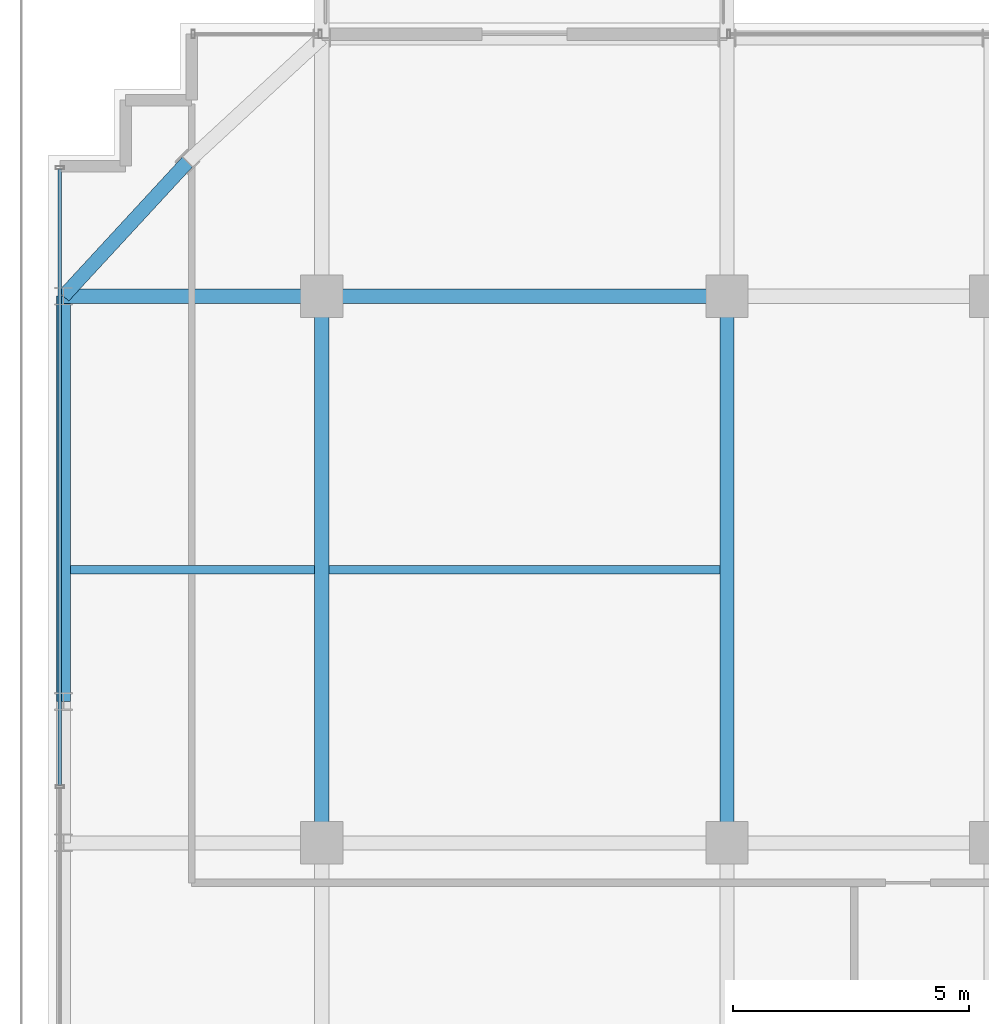
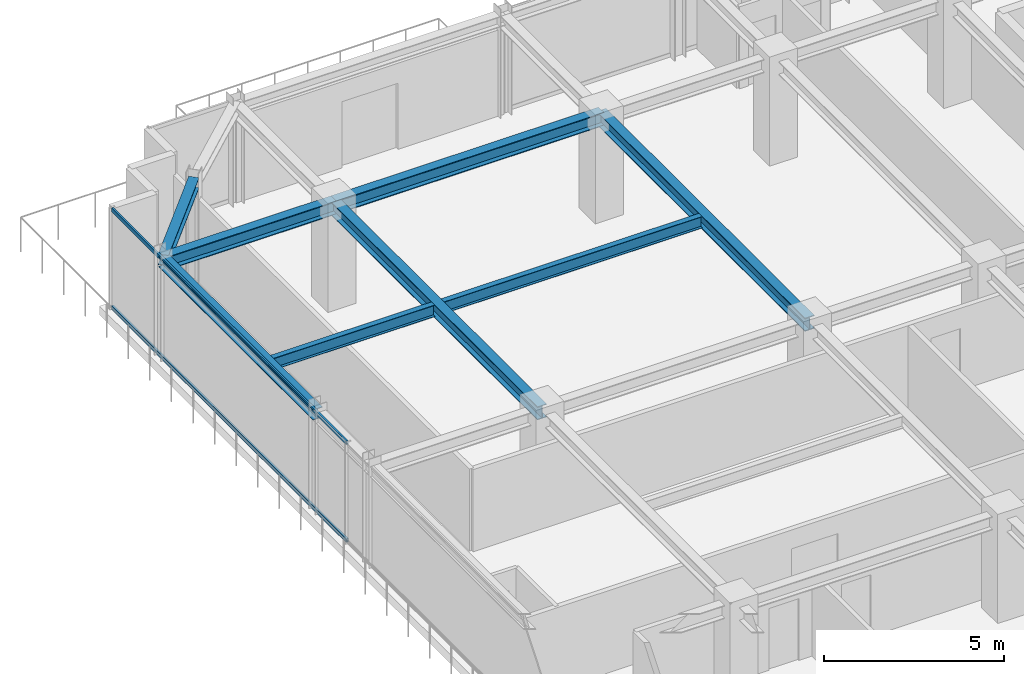
# One storey, part 16 of 32: 8 beams, 2 members, 1 element without a shape of its own.
"""IFC4 building model written with IfcOpenShell, lengths in metres."""

import ifcopenshell
import ifcopenshell.guid

model = None  # the IFC model being written
_history = None  # IfcOwnerHistory: only IFC2X3 demands one
_inside = {}  # id of a spatial element -> (the spatial element, [elements in it])
_under = {}  # id of a project, library or spatial element -> (it, [spatial elements below it])
_declared = {}  # id of a project -> (the project, [libraries it declares])
_typed = {}  # id of a type object -> (the type object, [elements of that type])
_made_of = {}  # id of a material, layer set ... -> (it, [elements and type objects made of it])


def new_model(schema):
    """Start an empty IFC model of exactly this schema.

    Asked for "IFC4X3", IfcOpenShell would pick the latest addendum, in which some entities
    have other attributes; the version numbers below select the first issue.
    IFC2X3 requires an IfcOwnerHistory on every rooted entity: one is made here for all.
    """
    global model, _history
    if schema == "IFC4X3":
        model = ifcopenshell.file(schema_version=(4, 3, 0, 0))
    else:
        model = ifcopenshell.file(schema=schema)
    _inside.clear()
    _under.clear()
    _declared.clear()
    _typed.clear()
    _made_of.clear()
    _history = None
    if model.schema == "IFC2X3":
        org = make("IfcOrganization", Name="unknown")
        user = make(
            "IfcPersonAndOrganization",
            ThePerson=make("IfcPerson", FamilyName="unknown"),
            TheOrganization=org,
        )
        app = make(
            "IfcApplication",
            ApplicationDeveloper=org,
            Version="unknown",
            ApplicationFullName="unknown",
            ApplicationIdentifier="unknown",
        )
        _history = make(
            "IfcOwnerHistory",
            OwningUser=user,
            OwningApplication=app,
            ChangeAction="ADDED",
            CreationDate=0,
        )
    return model


def make(cls, **values):
    """One entity of the class cls with the attributes given. An attribute that is None is left unset."""
    return model.create_entity(
        cls, **{name: value for name, value in values.items() if value is not None}
    )


def rooted(cls, **values):
    """An entity with a GlobalId (a new one), such as an element, a storey or a relation."""
    return make(cls, GlobalId=ifcopenshell.guid.new(), OwnerHistory=_history, **values)


def si_unit(unit_type, name, prefix=None):
    """IfcSIUnit, for example si_unit("LENGTHUNIT", "METRE", prefix="MILLI")."""
    return make("IfcSIUnit", UnitType=unit_type, Prefix=prefix, Name=name)


def assignment(units):
    """IfcUnitAssignment: the units of a project."""
    return None if units is None else make("IfcUnitAssignment", Units=units)


def point(xyz):
    """IfcCartesianPoint."""
    return None if xyz is None else make("IfcCartesianPoint", Coordinates=xyz)


def direction(xyz):
    """IfcDirection."""
    return None if xyz is None else make("IfcDirection", DirectionRatios=xyz)


def frame(location, z_axis=None, x_axis=None):
    """IfcAxis2Placement3D, a coordinate frame: its origin and axes. An axis left out is left unset."""
    return make(
        "IfcAxis2Placement3D",
        Location=point(location),
        Axis=direction(z_axis),
        RefDirection=direction(x_axis),
    )


def frame_2d(location, x_axis=None):
    """IfcAxis2Placement2D, a coordinate frame in the plane: its origin and x axis."""
    return make(
        "IfcAxis2Placement2D", Location=point(location), RefDirection=direction(x_axis)
    )


def origin():
    """The frame at (0, 0, 0) with its axes left unset."""
    return frame((0.0, 0.0, 0.0))


def origin_2d():
    """The frame at (0, 0) in the plane with its x axis left unset."""
    return frame_2d((0.0, 0.0))


def place(relative_to, where):
    """IfcLocalPlacement: puts the frame where relative to a parent placement (None: the world)."""
    return make(
        "IfcLocalPlacement", PlacementRelTo=relative_to, RelativePlacement=where
    )


def context(
    kind, dimensions, precision=None, world=None, true_north=None, identifier=None
):
    """IfcGeometricRepresentationContext, for example the 3D "Model" context."""
    return make(
        "IfcGeometricRepresentationContext",
        ContextIdentifier=identifier,
        ContextType=kind,
        CoordinateSpaceDimension=dimensions,
        Precision=precision,
        WorldCoordinateSystem=world,
        TrueNorth=true_north,
    )


def subcontext(parent, identifier, kind, view, scale=None):
    """IfcGeometricRepresentationSubContext, for example "Body" below "Model"."""
    return make(
        "IfcGeometricRepresentationSubContext",
        ContextIdentifier=identifier,
        ContextType=kind,
        ParentContext=parent,
        TargetScale=scale,
        TargetView=view,
    )


def project(units=None, contexts=None):
    """IfcProject with its units and contexts."""
    return rooted(
        "IfcProject",
        Name="project",
        RepresentationContexts=contexts,
        UnitsInContext=assignment(units),
    )


def spatial(cls, under=None, at=None, **own):
    """A site, building, storey or space (cls), placed at a placement, below another one or the project."""
    s = rooted(cls, ObjectPlacement=at, **own)
    if under is not None:
        _under.setdefault(under.id(), (under, []))[1].append(s)
    return s


def profile(cls, at=None, kind="AREA", **sizes):
    """A parametric profile (cls). Its sizes go by their IFC names, for example OverallWidth=200.0."""
    return make(cls, ProfileType=kind, Position=at, **sizes)


def hollow_rectangle(**sizes):
    """IfcRectangleHollowProfileDef."""
    return profile("IfcRectangleHollowProfileDef", **sizes)


def i_section(**sizes):
    """IfcIShapeProfileDef."""
    return profile("IfcIShapeProfileDef", **sizes)


def extrude(swept, where, along, depth):
    """IfcExtrudedAreaSolid: the profile swept, set in the frame where, extruded along a direction by depth."""
    return make(
        "IfcExtrudedAreaSolid",
        SweptArea=swept,
        Position=where,
        ExtrudedDirection=direction(along),
        Depth=depth,
    )


def shape(context_of_items, identifier, shape_type, items):
    """IfcShapeRepresentation: the items that make up one representation, for example the "Body"."""
    return make(
        "IfcShapeRepresentation",
        ContextOfItems=context_of_items,
        RepresentationIdentifier=identifier,
        RepresentationType=shape_type,
        Items=items,
    )


def source(mapping_origin, context_of_items, identifier, shape_type, items):
    """IfcRepresentationMap: a shape defined once, which mapped items show again and again."""
    return make(
        "IfcRepresentationMap",
        MappingOrigin=mapping_origin,
        MappedRepresentation=shape(context_of_items, identifier, shape_type, items),
    )


def transform(
    local_origin,
    x_axis=None,
    y_axis=None,
    z_axis=None,
    scale=None,
    scale2=None,
    scale3=None,
    uniform=True,
):
    """IfcCartesianTransformationOperator3D, or its non-uniform kind. x_axis, y_axis, z_axis: its Axis1, 2, 3."""
    if uniform:
        return make(
            "IfcCartesianTransformationOperator3D",
            Axis1=direction(x_axis),
            Axis2=direction(y_axis),
            LocalOrigin=point(local_origin),
            Scale=scale,
            Axis3=direction(z_axis),
        )
    return make(
        "IfcCartesianTransformationOperator3DnonUniform",
        Axis1=direction(x_axis),
        Axis2=direction(y_axis),
        LocalOrigin=point(local_origin),
        Scale=scale,
        Axis3=direction(z_axis),
        Scale2=scale2,
        Scale3=scale3,
    )


def mapped(mapping_source, mapping_target):
    """IfcMappedItem: shows the shape of a source again, moved by a transform."""
    return make(
        "IfcMappedItem", MappingSource=mapping_source, MappingTarget=mapping_target
    )


def material(Name=None, Category=None):
    """IfcMaterial."""
    return make("IfcMaterial", Name=Name, Category=Category)


def material_profile(
    of_material, cross_section, Name=None, Category=None, Priority=None
):
    """IfcMaterialProfile: a cross section and its material."""
    return make(
        "IfcMaterialProfile",
        Name=Name,
        Material=of_material,
        Profile=cross_section,
        Priority=Priority,
        Category=Category,
    )


def profile_set(profiles, Name=None, composite=None):
    """IfcMaterialProfileSet."""
    return make(
        "IfcMaterialProfileSet",
        Name=Name,
        MaterialProfiles=profiles,
        CompositeProfile=composite,
    )


def made_of(thing, what):
    """Note that an element or type object is made of a material, layer set ...; save() writes the relation."""
    if what is not None:
        _made_of.setdefault(what.id(), (what, []))[1].append(thing)
    return thing


def type_object(cls, material=None, **own):
    """A type object (cls), such as IfcWallType, which elements share."""
    return made_of(rooted(cls, **own), material)


def element(
    cls,
    number,
    at=None,
    inside=None,
    cuts=None,
    type_object=None,
    material=None,
    context=None,
    identifier="Body",
    shape_type=None,
    held_by="IfcProductDefinitionShape",
    body=None,
    shapes=None,
    **own,
):
    """One element of the class cls, such as IfcWall. Its Tag is "e" and its number.

    at: its placement. inside: the storey or other place that contains it. cuts: it is an
    opening in that element (IfcRelVoidsElement). A single representation is given by context,
    identifier, shape_type and body (its items); several are given by shapes. held_by: the class
    of the entity that holds the representations. save() writes the other relations.
    """
    e = rooted(cls, Tag="e%d" % number, ObjectPlacement=at, **own)
    if body is not None:
        shapes = [shape(context, identifier, shape_type, body)]
    if shapes is not None:
        e.Representation = make(held_by, Representations=shapes)
    if inside is not None:
        _inside.setdefault(inside.id(), (inside, []))[1].append(e)
    if cuts is not None:
        rooted(
            "IfcRelVoidsElement", RelatingBuildingElement=cuts, RelatedOpeningElement=e
        )
    if type_object is not None:
        _typed.setdefault(type_object.id(), (type_object, []))[1].append(e)
    return made_of(e, material)


def aggregate(whole, parts):
    """IfcRelAggregates: a whole, such as a stair, and the parts it consists of."""
    return rooted("IfcRelAggregates", RelatingObject=whole, RelatedObjects=parts)


def save(model, path):
    """Write the relations noted so far, then the file.

    IfcRelAggregates (storeys below a building ...), IfcRelContainedInSpatialStructure (elements
    in a storey), IfcRelDefinesByType, IfcRelAssociatesMaterial and IfcRelDeclares: one each for
    every whole, place, type object, material and project.
    """
    for whole, parts in _under.values():
        aggregate(whole, parts)
    for where, things in _inside.values():
        rooted(
            "IfcRelContainedInSpatialStructure",
            RelatedElements=things,
            RelatingStructure=where,
        )
    for kind, things in _typed.values():
        rooted("IfcRelDefinesByType", RelatedObjects=things, RelatingType=kind)
    for what, things in _made_of.values():
        rooted("IfcRelAssociatesMaterial", RelatedObjects=things, RelatingMaterial=what)
    for by, libraries in _declared.values():
        rooted("IfcRelDeclares", RelatingContext=by, RelatedDefinitions=libraries)
    model.write(path)


model = new_model("IFC4")

# Units and contexts
model_context = context("Model", 3, precision=1e-05, world=origin(), true_north=direction((0.0, 1.0)))
body_context = subcontext(model_context, "Body", "Model", "MODEL_VIEW")
ifc_project = project(units=[si_unit("LENGTHUNIT", "METRE"), si_unit("AREAUNIT", "SQUARE_METRE"), si_unit("VOLUMEUNIT", "CUBIC_METRE"), si_unit("PLANEANGLEUNIT", "RADIAN"), si_unit("MASSUNIT", "GRAM", prefix="KILO")], contexts=[model_context])

# Site, building, storey
site_placement = place(None, origin())
site = spatial("IfcSite", under=ifc_project, at=site_placement, CompositionType="ELEMENT")
building_placement = place(site_placement, origin())
building = spatial("IfcBuilding", under=site, at=building_placement, Name="Nahalor Promenade Grand Hotel", CompositionType="ELEMENT")
storey_placement = place(building_placement, frame((0.0, 0.0, 266.300048828125)))
storey = spatial("IfcBuildingStorey", under=building, at=storey_placement, Name="L68", CompositionType="ELEMENT", Elevation=266.300048828125)

# Beams
ifc_material_1 = material(Name="Steel S355JR", Category="steel")
ifc_material_profile_1 = material_profile(ifc_material_1, i_section(OverallWidth=0.3, OverallDepth=0.45, WebThickness=0.014, FlangeThickness=0.026, at=origin_2d()), Name="HEB 450")
ifc_profile_set_1 = profile_set([ifc_material_profile_1], Name="Steel S355JR")
beam_type_1 = type_object("IfcBeamType", Name="Beam-Girder-HEB450", PredefinedType="BEAM", material=ifc_profile_set_1)
shared_shape_1 = source(origin(), body_context, "Body", "SweptSolid", [
    extrude(i_section(OverallWidth=0.3, OverallDepth=0.45, WebThickness=0.014, FlangeThickness=0.026, at=origin_2d()), origin(), (0.0, 0.0, 1.0), 8.60009765625),
])
beam_1_placement = place(storey_placement, frame((-17.0, 17.0, 3.224853515625), z_axis=(1.0, 0.0, 0.0), x_axis=(0.0, 1.0, 0.0)))
element("IfcBeam", 1, at=beam_1_placement, inside=storey, type_object=beam_type_1, Name="BM-L68-GX-3-1", PredefinedType="BEAM", context=body_context, shape_type="MappedRepresentation", body=[
    mapped(shared_shape_1, transform((0.0, 0.0, 0.0), scale=1.0)),
])
shared_shape_2 = source(origin(), body_context, "Body", "SweptSolid", [
    extrude(i_section(OverallWidth=0.3, OverallDepth=0.45, WebThickness=0.014, FlangeThickness=0.026, at=origin_2d()), origin(), (0.0, 0.0, 1.0), 11.60009765625),
])
for number, where, z_axis, x_axis, name in (
    (2, (-17.0, 5.39990234375, 3.224853515625), (0.0, 1.0, 0.0), (-1.0, 0.0, 0.0), "BM-L68-GY-0-3"),
    (3, (-8.39990234375, 5.39990234375, 3.224853515625), (0.0, 1.0, 0.0), (-1.0, 0.0, 0.0), "BM-L68-GY-1-3"),
):
    element("IfcBeam", number, at=place(storey_placement, frame(where, z_axis=z_axis, x_axis=x_axis)), inside=storey, type_object=beam_type_1, Name=name, PredefinedType="BEAM", context=body_context, shape_type="MappedRepresentation", body=[
        mapped(shared_shape_2, transform((0.0, 0.0, 0.0), scale=1.0)),
    ])
ifc_material_profile_2 = material_profile(ifc_material_1, i_section(OverallWidth=0.18, OverallDepth=0.4, WebThickness=0.0086, FlangeThickness=0.0135, at=origin_2d()), Name="IPE 400")
ifc_profile_set_2 = profile_set([ifc_material_profile_2], Name="Steel S355JR")
beam_type_2 = type_object("IfcBeamType", Name="Beam-Joist-IPE400", PredefinedType="JOIST", material=ifc_profile_set_2)
shared_shape_3 = source(origin(), body_context, "Body", "SweptSolid", [
    extrude(i_section(OverallWidth=0.18, OverallDepth=0.4, WebThickness=0.0086, FlangeThickness=0.0135, at=origin_2d()), origin(), (0.0, 0.0, 1.0), 8.300048828125),
])
beam_2_placement = place(storey_placement, frame((-16.85009765625, 11.199951171875, 3.25), z_axis=(1.0, 0.0, 0.0), x_axis=(0.0, 1.0, 0.0)))
element("IfcBeam", 4, at=beam_2_placement, inside=storey, type_object=beam_type_2, Name="BM-L68-JSW-1-1", PredefinedType="JOIST", context=body_context, shape_type="MappedRepresentation", body=[
    mapped(shared_shape_3, transform((0.0, 0.0, 0.0), scale=1.0)),
])
shared_shape_4 = source(origin(), body_context, "Body", "SweptSolid", [
    extrude(i_section(OverallWidth=0.3, OverallDepth=0.45, WebThickness=0.014, FlangeThickness=0.026, at=origin_2d()), origin(), (0.0, 0.0, 1.0), 5.47998046875),
])
beam_3_placement = place(storey_placement, frame((-22.47998046875, 17.0, 3.224853515625), z_axis=(1.0, 0.0, 0.0), x_axis=(0.0, 1.0, 0.0)))
element("IfcBeam", 5, at=beam_3_placement, inside=storey, type_object=beam_type_1, Name="BM-L68-GX-3-0", PredefinedType="BEAM", context=body_context, shape_type="MappedRepresentation", body=[
    mapped(shared_shape_4, transform((0.0, 0.0, 0.0), scale=1.0)),
])
shared_shape_5 = source(origin(), body_context, "Body", "SweptSolid", [
    extrude(i_section(OverallWidth=0.18, OverallDepth=0.4, WebThickness=0.0086, FlangeThickness=0.0135, at=origin_2d()), origin(), (0.0, 0.0, 1.0), 5.18017578125),
])
beam_4_placement = place(storey_placement, frame((-22.330078125, 11.199951171875, 3.25), z_axis=(1.0, 0.0, 0.0), x_axis=(0.0, 1.0, 0.0)))
element("IfcBeam", 6, at=beam_4_placement, inside=storey, type_object=beam_type_2, Name="BM-L68-JSW-1-0", PredefinedType="JOIST", context=body_context, shape_type="MappedRepresentation", body=[
    mapped(shared_shape_5, transform((0.0, 0.0, 0.0), scale=1.0)),
])
ifc_material_profile_3 = material_profile(ifc_material_1, i_section(OverallWidth=0.3, OverallDepth=0.36, WebThickness=0.0125, FlangeThickness=0.0225, at=origin_2d()), Name="HEB 360")
ifc_profile_set_3 = profile_set([ifc_material_profile_3], Name="Steel S355JR")
beam_type_3 = type_object("IfcBeamType", Name="Beam-Spandrel-HEB360", PredefinedType="SPANDREL", material=ifc_profile_set_3)
shared_shape_6 = source(origin(), body_context, "Body", "SweptSolid", [
    extrude(i_section(OverallWidth=0.3, OverallDepth=0.36, WebThickness=0.0125, FlangeThickness=0.0225, at=origin_2d()), origin(), (0.0, 0.0, 1.0), 8.60009765625),
])
beam_5_placement = place(storey_placement, frame((-22.47998046875, 8.39990234375, 3.27001953125), z_axis=(0.0, 1.0, 0.0), x_axis=(-1.0, 0.0, 0.0)))
element("IfcBeam", 7, at=beam_5_placement, inside=storey, type_object=beam_type_3, Name="BM-L68-SP-W-4", PredefinedType="SPANDREL", context=body_context, shape_type="MappedRepresentation", body=[
    mapped(shared_shape_6, transform((0.0, 0.0, 0.0), scale=1.0)),
])
shared_shape_7 = source(origin(), body_context, "Body", "SweptSolid", [
    extrude(i_section(OverallWidth=0.3, OverallDepth=0.36, WebThickness=0.0125, FlangeThickness=0.0225, at=origin_2d()), origin(), (0.0, 0.0, 1.0), 3.878173828125),
])
beam_6_placement = place(storey_placement, frame((-19.85009765625, 19.85009765625, 3.27001953125), z_axis=(-0.678144125843, -0.73492893846, 0.0), x_axis=(0.73492893846, -0.678144125843, 0.0)))
element("IfcBeam", 8, at=beam_6_placement, inside=storey, type_object=beam_type_3, Name="BM-L68-SPC-NW-2", PredefinedType="SPANDREL", context=body_context, shape_type="MappedRepresentation", body=[
    mapped(shared_shape_7, transform((0.0, 0.0, 0.0), scale=1.0)),
])

# Curtain wall, members
ifc_material_2 = material(Name="Anodised Bronze Aluminium EN AW-6063 T6", Category="aluminium")
curtain_wall_type = type_object("IfcCurtainWallType", Name="CW2 Typical Hotel Flush Bronze Unitised Curtain Wall", PredefinedType="USERDEFINED", material=ifc_material_2)
curtain_wall_placement = place(storey_placement, origin())
curtain_wall = element("IfcCurtainWall", 9, at=curtain_wall_placement, inside=storey, type_object=curtain_wall_type, Name="L68 Curtain Wall CW-L68-W-1", ObjectType="UNITISED_CURTAIN_WALL", PredefinedType="USERDEFINED")
ifc_material_profile_4 = material_profile(ifc_material_2, hollow_rectangle(XDim=0.065, YDim=0.13, WallThickness=0.004, at=origin_2d()), Name="CWT 65x130x4")
ifc_profile_set_4 = profile_set([ifc_material_profile_4], Name="Anodised Bronze Aluminium EN AW-6063 T6")
member_type = type_object("IfcMemberType", Name="CWT2 Typical Bronze Transom 65x130", PredefinedType="USERDEFINED", material=ifc_profile_set_4)
shared_shape_8 = source(origin(), body_context, "Body", "SweptSolid", [
    extrude(hollow_rectangle(XDim=0.065, YDim=0.13, WallThickness=0.004, at=origin_2d()), origin(), (0.0, 0.0, 1.0), 13.075927734375),
])
member_1_placement = place(storey_placement, frame((-22.56005859375, 6.619140625, 0.06494140625), z_axis=(0.0, 1.0, 0.0), x_axis=(-1.0, 0.0, 0.0)))
member_1 = element("IfcMember", 10, at=member_1_placement, type_object=member_type, Name="CW-L68-W-1 Transom 2-0", ObjectType="TRANSOM", PredefinedType="USERDEFINED", context=body_context, shape_type="MappedRepresentation", body=[
    mapped(shared_shape_8, transform((0.0, 0.0, 0.0), scale=1.0)),
])
member_2_placement = place(storey_placement, frame((-22.56005859375, 6.619140625, 3.385009765625), z_axis=(0.0, 1.0, 0.0), x_axis=(-1.0, 0.0, 0.0)))
member_2 = element("IfcMember", 11, at=member_2_placement, type_object=member_type, Name="CW-L68-W-1 Transom 2-1", ObjectType="TRANSOM", PredefinedType="USERDEFINED", context=body_context, shape_type="MappedRepresentation", body=[
    mapped(shared_shape_8, transform((0.0, 0.0, 0.0), scale=1.0)),
])
aggregate(curtain_wall, [member_1, member_2])

save(model, "model.ifc")
